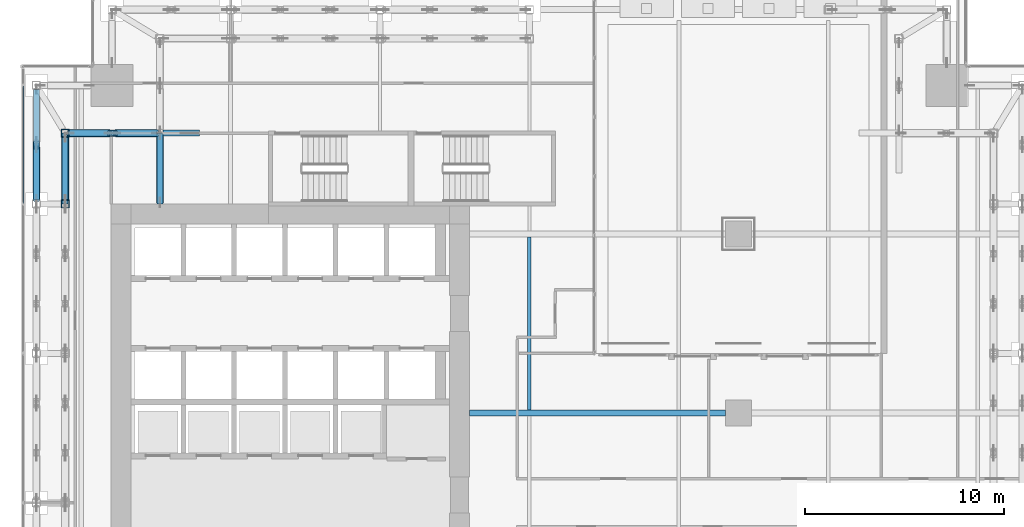
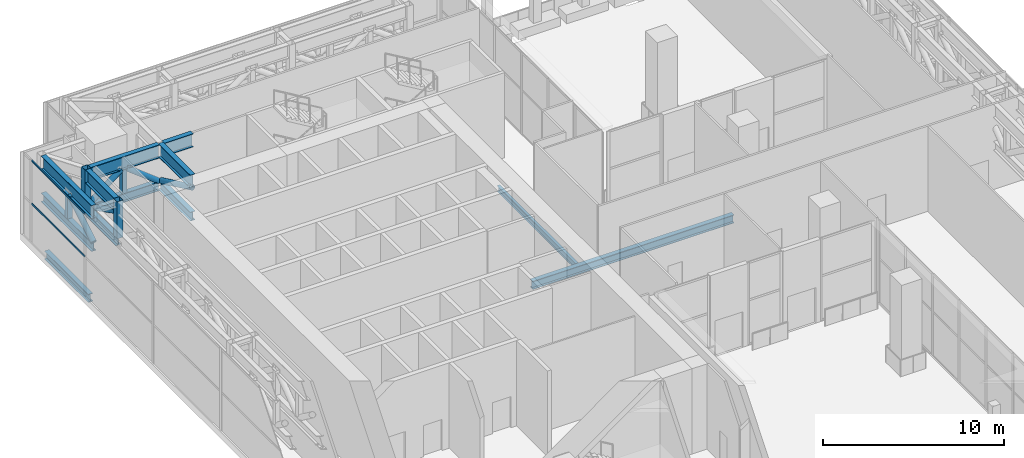
# One storey, part 19 of 47: 20 members, 3 beams, 1 element without a shape of its own.
"""IFC4 building model written with IfcOpenShell, lengths in metres."""

from ifc_helpers import new_model, si_unit, direction, frame, origin, origin_2d, place, context, subcontext, project, spatial, hollow_rectangle, hollow_circle, i_section, extrude, source, transform, mapped, material, material_profile, profile_set, type_object, element, aggregate, save


model = new_model("IFC4")

# Units and contexts
model_context = context("Model", 3, precision=1e-05, world=origin(), true_north=direction((0.0, 1.0)))
body_context = subcontext(model_context, "Body", "Model", "MODEL_VIEW")
ifc_project = project(units=[si_unit("LENGTHUNIT", "METRE"), si_unit("AREAUNIT", "SQUARE_METRE"), si_unit("VOLUMEUNIT", "CUBIC_METRE"), si_unit("PLANEANGLEUNIT", "RADIAN"), si_unit("MASSUNIT", "GRAM", prefix="KILO")], contexts=[model_context])

# Site, building, storey
site_placement = place(None, origin())
site = spatial("IfcSite", under=ifc_project, at=site_placement, CompositionType="ELEMENT")
building_placement = place(site_placement, origin())
building = spatial("IfcBuilding", under=site, at=building_placement, Name="Khomas Fold Tower", CompositionType="ELEMENT")
storey_placement = place(building_placement, frame((0.0, 0.0, 158.699951171875)))
storey = spatial("IfcBuildingStorey", under=building, at=storey_placement, Name="L34", CompositionType="ELEMENT", Elevation=158.699951171875)

# Beams
ifc_material_1 = material(Name="Steel S355", Category="steel")
ifc_material_profile_1 = material_profile(ifc_material_1, i_section(OverallWidth=0.179931640625, OverallDepth=0.39990234375, WebThickness=0.008544921875, FlangeThickness=0.013427734375, at=origin_2d()), Name="IPE 400")
ifc_profile_set_1 = profile_set([ifc_material_profile_1], Name="Steel S355")
beam_type_1 = type_object("IfcBeamType", Name="IPE 400 beam JB3", PredefinedType="BEAM", material=ifc_profile_set_1)
shared_shape_1 = source(origin(), body_context, "Body", "SweptSolid", [
    extrude(i_section(OverallWidth=0.179931640625, OverallDepth=0.39990234375, WebThickness=0.008544921875, FlangeThickness=0.013427734375, at=origin_2d()), origin(), (0.0, 0.0, 1.0), 8.7001953125),
])
beam_1_placement = place(storey_placement, frame((27.0, 31.64990234375, -0.64990234375), z_axis=(0.0, 1.0, 0.0), x_axis=(-1.0, 0.0, 0.0)))
element("IfcBeam", 1, at=beam_1_placement, inside=storey, type_object=beam_type_1, Name="JB3", PredefinedType="BEAM", context=body_context, shape_type="MappedRepresentation", body=[
    mapped(shared_shape_1, transform((0.0, 0.0, 0.0))),
])
ifc_material_2 = material(Name="Steel S355", Category="steel")
ifc_material_profile_2 = material_profile(ifc_material_2, i_section(OverallWidth=0.300048828125, OverallDepth=0.550048828125, WebThickness=0.014892578125, FlangeThickness=0.029052734375, at=origin_2d()), Name="HE 550 B")
ifc_profile_set_2 = profile_set([ifc_material_profile_2], Name="Steel S355")
beam_type_2 = type_object("IfcBeamType", Name="HE 550 B spandrel SB2", PredefinedType="SPANDREL", material=ifc_profile_set_2)
shared_shape_2 = source(origin(), body_context, "Body", "SweptSolid", [
    extrude(i_section(OverallWidth=0.300048828125, OverallDepth=0.550048828125, WebThickness=0.014892578125, FlangeThickness=0.029052734375, at=origin_2d()), origin(), (0.0, 0.0, 1.0), 4.849853515625),
])
beam_2_placement = place(storey_placement, frame((2.25, 42.550048828125, -0.724853515625), z_axis=(0.0, 1.0, 0.0), x_axis=(-1.0, 0.0, 0.0)))
element("IfcBeam", 2, at=beam_2_placement, inside=storey, type_object=beam_type_2, Name="SB2", PredefinedType="SPANDREL", context=body_context, shape_type="MappedRepresentation", body=[
    mapped(shared_shape_2, transform((0.0, 0.0, 0.0))),
])
ifc_material_3 = material(Name="Steel S355", Category="steel")
ifc_material_profile_3 = material_profile(ifc_material_3, i_section(OverallWidth=0.300048828125, OverallDepth=0.550048828125, WebThickness=0.014892578125, FlangeThickness=0.029052734375, at=origin_2d()), Name="HE 550 B")
ifc_profile_set_3 = profile_set([ifc_material_profile_3], Name="Steel S355")
beam_type_3 = type_object("IfcBeamType", Name="HE 550 B beam GB4", PredefinedType="BEAM", material=ifc_profile_set_3)
shared_shape_3 = source(origin(), body_context, "Body", "SweptSolid", [
    extrude(i_section(OverallWidth=0.300048828125, OverallDepth=0.550048828125, WebThickness=0.014892578125, FlangeThickness=0.029052734375, at=origin_2d()), origin(), (0.0, 0.0, 1.0), 12.85009765625),
])
beam_3_placement = place(storey_placement, frame((24.0, 31.5, -0.724853515625), z_axis=(1.0, 0.0, 0.0), x_axis=(0.0, 1.0, 0.0)))
element("IfcBeam", 3, at=beam_3_placement, inside=storey, type_object=beam_type_3, Name="GB4", PredefinedType="BEAM", context=body_context, shape_type="MappedRepresentation", body=[
    mapped(shared_shape_3, transform((0.0, 0.0, 0.0))),
])

# Members
ifc_material_4 = material(Name="Steel S460M", Category="steel")
ifc_material_profile_4 = material_profile(ifc_material_4, i_section(OverallWidth=0.300048828125, OverallDepth=0.89990234375, WebThickness=0.0185546875, FlangeThickness=0.034912109375, at=origin_2d()), Name="HE 900 B")
ifc_profile_set_4 = profile_set([ifc_material_profile_4], Name="Steel S460M")
member_type_1 = type_object("IfcMemberType", Name="BELT TRUSS 2 TOP CHORD HE 900 B", PredefinedType="CHORD", material=ifc_profile_set_4)
shared_shape_4 = source(origin(), body_context, "Body", "SweptSolid", [
    extrude(i_section(OverallWidth=0.300048828125, OverallDepth=0.89990234375, WebThickness=0.0185546875, FlangeThickness=0.034912109375, at=origin_2d()), origin(), (0.0, 0.0, 1.0), 5.550048828125),
])
member_1_placement = place(storey_placement, frame((2.25, 47.75, 5.300048828125), z_axis=(0.0, -1.0, 0.0), x_axis=(1.0, 0.0, 0.0)))
element("IfcMember", 4, at=member_1_placement, inside=storey, type_object=member_type_1, Name="BT2-CT", PredefinedType="CHORD", context=body_context, shape_type="MappedRepresentation", body=[
    mapped(shared_shape_4, transform((0.0, 0.0, 0.0))),
])
ifc_material_5 = material(Name="Steel S355", Category="steel")
ifc_material_profile_5 = material_profile(ifc_material_5, i_section(OverallWidth=0.300048828125, OverallDepth=0.60009765625, WebThickness=0.015380859375, FlangeThickness=0.030029296875, at=origin_2d()), Name="HE 600 B")
ifc_profile_set_5 = profile_set([ifc_material_profile_5], Name="Steel S355")
member_type_2 = type_object("IfcMemberType", Name="BELT TRUSS 2 BOTTOM CHORD SHORT HE 600 B", PredefinedType="CHORD", material=ifc_profile_set_5)
shared_shape_5 = source(origin(), body_context, "Body", "SweptSolid", [
    extrude(i_section(OverallWidth=0.300048828125, OverallDepth=0.60009765625, WebThickness=0.015380859375, FlangeThickness=0.030029296875, at=origin_2d()), origin(), (0.0, 0.0, 1.0), 5.550048828125),
])
member_2_placement = place(storey_placement, frame((2.25, 47.75, 2.949951171875), z_axis=(0.0, -1.0, 0.0), x_axis=(1.0, 0.0, 0.0)))
element("IfcMember", 5, at=member_2_placement, inside=storey, type_object=member_type_2, Name="BT2-CBS", PredefinedType="CHORD", context=body_context, shape_type="MappedRepresentation", body=[
    mapped(shared_shape_5, transform((0.0, 0.0, 0.0))),
])
ifc_material_6 = material(Name="Steel S355", Category="steel")
ifc_material_profile_6 = material_profile(ifc_material_6, hollow_circle(Radius=0.177734375, WallThickness=0.01611328125, at=origin_2d()), Name="CHS 355.6x16")
ifc_profile_set_6 = profile_set([ifc_material_profile_6], Name="Steel S355")
member_type_3 = type_object("IfcMemberType", Name="BELT TRUSS 2 DIAGONAL CHS 355.6x16", PredefinedType="BRACE", material=ifc_profile_set_6)
shared_shape_6 = source(origin(), body_context, "Body", "SweptSolid", [
    extrude(hollow_circle(Radius=0.177734375, WallThickness=0.01611328125, at=origin_2d()), origin(), (0.0, 0.0, 1.0), 3.079345703125),
])
member_3_placement = place(storey_placement, frame((2.25, 44.824951171875, 4.85498046875), z_axis=(0.0, -0.852457646083, -0.522796290762), x_axis=(1.0, 0.0, 0.0)))
element("IfcMember", 6, at=member_3_placement, inside=storey, type_object=member_type_3, Name="BT2-D", PredefinedType="BRACE", context=body_context, shape_type="MappedRepresentation", body=[
    mapped(shared_shape_6, transform((0.0, 0.0, 0.0))),
])
ifc_material_7 = material(Name="Steel S355", Category="steel")
ifc_material_profile_7 = material_profile(ifc_material_7, hollow_rectangle(XDim=0.300048828125, YDim=0.300048828125, WallThickness=0.012451171875, at=origin_2d()), Name="SHS 300x300x12.5")
ifc_profile_set_7 = profile_set([ifc_material_profile_7], Name="Steel S355")
member_type_4 = type_object("IfcMemberType", Name="BELT TRUSS 2 MID POST SHS 300x300x12.5", PredefinedType="POST", material=ifc_profile_set_7)
shared_shape_7 = source(origin(), body_context, "Body", "SweptSolid", [
    extrude(hollow_rectangle(XDim=0.300048828125, YDim=0.300048828125, WallThickness=0.012451171875, at=origin_2d()), origin(), (0.0, 0.0, 1.0), 1.60009765625),
])
for number, where, z_axis, x_axis, name in (
    (7, (2.25, 44.97509765625, 3.25), (0.0, 0.0, 1.0), (1.0, 0.0, 0.0), "BT2-M"),
    (8, (6.074951171875, 45.550048828125, 3.25), (0.0, 0.0, 1.0), (1.0, 0.0, 0.0), "BT2-M"),
):
    element("IfcMember", number, at=place(storey_placement, frame(where, z_axis=z_axis, x_axis=x_axis)), inside=storey, type_object=member_type_4, Name=name, PredefinedType="POST", context=body_context, shape_type="MappedRepresentation", body=[
        mapped(shared_shape_7, transform((0.0, 0.0, 0.0))),
    ])
ifc_material_8 = material(Name="Steel S460M", Category="steel")
ifc_material_profile_8 = material_profile(ifc_material_8, i_section(OverallWidth=0.300048828125, OverallDepth=0.89990234375, WebThickness=0.0185546875, FlangeThickness=0.034912109375, at=origin_2d()), Name="HE 900 B")
ifc_profile_set_8 = profile_set([ifc_material_profile_8], Name="Steel S460M")
member_type_5 = type_object("IfcMemberType", Name="BELT TRUSS 2 TOP CHORD SHORT HE 900 B", PredefinedType="CHORD", material=ifc_profile_set_8)
shared_shape_8 = source(origin(), body_context, "Body", "SweptSolid", [
    extrude(i_section(OverallWidth=0.300048828125, OverallDepth=0.89990234375, WebThickness=0.0185546875, FlangeThickness=0.034912109375, at=origin_2d()), origin(), (0.0, 0.0, 1.0), 3.150146484375),
])
member_4_placement = place(storey_placement, frame((3.699951171875, 45.35009765625, 5.300048828125), z_axis=(0.0, -1.0, 0.0), x_axis=(1.0, 0.0, 0.0)))
element("IfcMember", 9, at=member_4_placement, inside=storey, type_object=member_type_5, Name="BT2-CTS", PredefinedType="CHORD", context=body_context, shape_type="MappedRepresentation", body=[
    mapped(shared_shape_8, transform((0.0, 0.0, 0.0))),
])
shared_shape_9 = source(origin(), body_context, "Body", "SweptSolid", [
    extrude(hollow_circle(Radius=0.177734375, WallThickness=0.01611328125, at=origin_2d()), origin(), (0.0, 0.0, 1.0), 3.53759765625),
])
member_5_placement = place(storey_placement, frame((3.699951171875, 45.35009765625, 3.2451171875), z_axis=(0.0, -0.890458918819, 0.455063637193), x_axis=(1.0, 0.0, 0.0)))
element("IfcMember", 10, at=member_5_placement, inside=storey, type_object=member_type_3, Name="BT2-D", PredefinedType="BRACE", context=body_context, shape_type="MappedRepresentation", body=[
    mapped(shared_shape_9, transform((0.0, 0.0, 0.0))),
])
ifc_material_9 = material(Name="Steel S355", Category="steel")
ifc_material_profile_9 = material_profile(ifc_material_9, i_section(OverallWidth=0.300048828125, OverallDepth=0.60009765625, WebThickness=0.015380859375, FlangeThickness=0.030029296875, at=origin_2d()), Name="HE 600 B")
ifc_profile_set_9 = profile_set([ifc_material_profile_9], Name="Steel S355")
member_type_6 = type_object("IfcMemberType", Name="BELT TRUSS 2 BOTTOM CHORD SHORTER HE 600 B", PredefinedType="CHORD", material=ifc_profile_set_9)
shared_shape_10 = source(origin(), body_context, "Body", "SweptSolid", [
    extrude(i_section(OverallWidth=0.300048828125, OverallDepth=0.60009765625, WebThickness=0.015380859375, FlangeThickness=0.030029296875, at=origin_2d()), origin(), (0.0, 0.0, 1.0), 3.550048828125),
])
for number, where, z_axis, x_axis, name in (
    (11, (3.699951171875, 45.550048828125, 2.949951171875), (0.0, -1.0, 0.0), (1.0, 0.0, 0.0), "BT2-CBSS"),
    (12, (8.449951171875, 45.550048828125, 2.949951171875), (0.0, -1.0, 0.0), (1.0, 0.0, 0.0), "BT2-CBSS"),
):
    element("IfcMember", number, at=place(storey_placement, frame(where, z_axis=z_axis, x_axis=x_axis)), inside=storey, type_object=member_type_6, Name=name, PredefinedType="CHORD", context=body_context, shape_type="MappedRepresentation", body=[
        mapped(shared_shape_10, transform((0.0, 0.0, 0.0))),
    ])
shared_shape_11 = source(origin(), body_context, "Body", "SweptSolid", [
    extrude(hollow_circle(Radius=0.177734375, WallThickness=0.01611328125, at=origin_2d()), origin(), (0.0, 0.0, 1.0), 2.587158203125),
])
member_6_placement = place(storey_placement, frame((3.89990234375, 45.550048828125, 3.2451171875), z_axis=(0.782798501994, 0.0, 0.622275264876), x_axis=(0.0, 1.0, 0.0)))
element("IfcMember", 13, at=member_6_placement, inside=storey, type_object=member_type_3, Name="BT2-D", PredefinedType="BRACE", context=body_context, shape_type="MappedRepresentation", body=[
    mapped(shared_shape_11, transform((0.0, 0.0, 0.0))),
])
shared_shape_12 = source(origin(), body_context, "Body", "SweptSolid", [
    extrude(i_section(OverallWidth=0.300048828125, OverallDepth=0.89990234375, WebThickness=0.0185546875, FlangeThickness=0.034912109375, at=origin_2d()), origin(), (0.0, 0.0, 1.0), 4.400146484375),
])
member_7_placement = place(storey_placement, frame((3.89990234375, 45.550048828125, 5.300048828125), z_axis=(1.0, 0.0, 0.0), x_axis=(0.0, 1.0, 0.0)))
element("IfcMember", 14, at=member_7_placement, inside=storey, type_object=member_type_5, Name="BT2-CTS", PredefinedType="CHORD", context=body_context, shape_type="MappedRepresentation", body=[
    mapped(shared_shape_12, transform((0.0, 0.0, 0.0))),
])
shared_shape_13 = source(origin(), body_context, "Body", "SweptSolid", [
    extrude(i_section(OverallWidth=0.300048828125, OverallDepth=0.60009765625, WebThickness=0.015380859375, FlangeThickness=0.030029296875, at=origin_2d()), origin(), (0.0, 0.0, 1.0), 4.449951171875),
])
member_8_placement = place(storey_placement, frame((3.85009765625, 45.550048828125, 2.949951171875), z_axis=(1.0, 0.0, 0.0), x_axis=(0.0, 1.0, 0.0)))
element("IfcMember", 15, at=member_8_placement, inside=storey, type_object=member_type_2, Name="BT2-CBS", PredefinedType="CHORD", context=body_context, shape_type="MappedRepresentation", body=[
    mapped(shared_shape_13, transform((0.0, 0.0, 0.0))),
])
shared_shape_14 = source(origin(), body_context, "Body", "SweptSolid", [
    extrude(hollow_circle(Radius=0.177734375, WallThickness=0.01611328125, at=origin_2d()), origin(), (0.0, 0.0, 1.0), 2.626220703125),
])
member_9_placement = place(storey_placement, frame((6.22509765625, 45.550048828125, 4.85498046875), z_axis=(0.790087483617, 0.0, -0.612994101303), x_axis=(0.0, 1.0, 0.0)))
element("IfcMember", 16, at=member_9_placement, inside=storey, type_object=member_type_3, Name="BT2-D", PredefinedType="BRACE", context=body_context, shape_type="MappedRepresentation", body=[
    mapped(shared_shape_14, transform((0.0, 0.0, 0.0))),
])
ifc_material_10 = material(Name="Steel S460M", Category="steel")
ifc_material_profile_10 = material_profile(ifc_material_10, i_section(OverallWidth=0.300048828125, OverallDepth=0.89990234375, WebThickness=0.0185546875, FlangeThickness=0.034912109375, at=origin_2d()), Name="HE 900 B")
ifc_profile_set_10 = profile_set([ifc_material_profile_10], Name="Steel S460M")
member_type_7 = type_object("IfcMemberType", Name="BELT TRUSS 2 TOP CHORD SHORTER HE 900 B", PredefinedType="CHORD", material=ifc_profile_set_10)
shared_shape_15 = source(origin(), body_context, "Body", "SweptSolid", [
    extrude(i_section(OverallWidth=0.300048828125, OverallDepth=0.89990234375, WebThickness=0.0185546875, FlangeThickness=0.034912109375, at=origin_2d()), origin(), (0.0, 0.0, 1.0), 1.849853515625),
])
member_10_placement = place(storey_placement, frame((8.60009765625, 45.550048828125, 5.300048828125), z_axis=(1.0, 0.0, 0.0), x_axis=(0.0, 1.0, 0.0)))
element("IfcMember", 17, at=member_10_placement, inside=storey, type_object=member_type_7, Name="BT2-CTSS", PredefinedType="CHORD", context=body_context, shape_type="MappedRepresentation", body=[
    mapped(shared_shape_15, transform((0.0, 0.0, 0.0))),
])
shared_shape_16 = source(origin(), body_context, "Body", "SweptSolid", [
    extrude(i_section(OverallWidth=0.300048828125, OverallDepth=0.89990234375, WebThickness=0.0185546875, FlangeThickness=0.034912109375, at=origin_2d()), origin(), (0.0, 0.0, 1.0), 3.550048828125),
])
member_11_placement = place(storey_placement, frame((8.449951171875, 45.550048828125, 5.300048828125), z_axis=(0.0, -1.0, 0.0), x_axis=(1.0, 0.0, 0.0)))
element("IfcMember", 18, at=member_11_placement, inside=storey, type_object=member_type_5, Name="BT2-CTS", PredefinedType="CHORD", context=body_context, shape_type="MappedRepresentation", body=[
    mapped(shared_shape_16, transform((0.0, 0.0, 0.0))),
])
shared_shape_17 = source(origin(), body_context, "Body", "SweptSolid", [
    extrude(hollow_circle(Radius=0.177734375, WallThickness=0.01611328125, at=origin_2d()), origin(), (0.0, 0.0, 1.0), 3.765625),
])
member_12_placement = place(storey_placement, frame((8.449951171875, 45.47705078125, 3.2451171875), z_axis=(0.0, -0.904003021905, 0.427526065154), x_axis=(1.0, 0.0, 0.0)))
element("IfcMember", 19, at=member_12_placement, inside=storey, type_object=member_type_3, Name="BT2-D", PredefinedType="BRACE", context=body_context, shape_type="MappedRepresentation", body=[
    mapped(shared_shape_17, transform((0.0, 0.0, 0.0))),
])
ifc_material_11 = material(Name="Steel S460M", Category="steel")
ifc_material_profile_11 = material_profile(ifc_material_11, hollow_rectangle(XDim=0.39990234375, YDim=0.39990234375, WallThickness=0.01611328125, at=origin_2d()), Name="SHS 400x400x16")
ifc_profile_set_11 = profile_set([ifc_material_profile_11], Name="Steel S460M")
member_type_8 = type_object("IfcMemberType", Name="BELT TRUSS 2 COLUMN POST SHORT SHS 400x400x16", PredefinedType="POST", material=ifc_profile_set_11)
shared_shape_18 = source(origin(), body_context, "Body", "SweptSolid", [
    extrude(hollow_rectangle(XDim=0.39990234375, YDim=0.39990234375, WallThickness=0.01611328125, at=origin_2d()), origin(), (0.0, 0.0, 1.0), 2.5),
])
for number, where, z_axis, x_axis, name in (
    (20, (3.699951171875, 45.550048828125, 3.25), (0.0, 0.0, 1.0), (1.0, 0.0, 0.0), "BT2-PS"),
    (21, (3.699951171875, 42.0, 3.25), (0.0, 0.0, 1.0), (1.0, 0.0, 0.0), "BT2-PS"),
):
    element("IfcMember", number, at=place(storey_placement, frame(where, z_axis=z_axis, x_axis=x_axis)), inside=storey, type_object=member_type_8, Name=name, PredefinedType="POST", context=body_context, shape_type="MappedRepresentation", body=[
        mapped(shared_shape_18, transform((0.0, 0.0, 0.0))),
    ])

# Curtain wall, members
ifc_material_12 = material(Name="Aluminium framed double glazing", Category="aluminium")
curtain_wall_type = type_object("IfcCurtainWallType", Name="SK-Unitised clear-glass wall, growing floors CW1", PredefinedType="NOTDEFINED", material=ifc_material_12)
curtain_wall_placement = place(storey_placement, origin())
curtain_wall = element("IfcCurtainWall", 22, at=curtain_wall_placement, inside=storey, type_object=curtain_wall_type, Name="CW1 run L34 18-0", PredefinedType="NOTDEFINED")
ifc_material_13 = material(Name="Aluminium", Category="aluminium")
ifc_material_profile_12 = material_profile(ifc_material_13, hollow_rectangle(XDim=0.06005859375, YDim=0.1201171875, WallThickness=0.00390625, at=origin_2d()), Name="SK-Unitised clear-glass wall, growing floors transom CW1-T")
ifc_profile_set_12 = profile_set([ifc_material_profile_12], Name="Aluminium")
member_type_9 = type_object("IfcMemberType", Name="SK-Unitised clear-glass wall, growing floors transom CW1-T", PredefinedType="USERDEFINED", material=ifc_profile_set_12)
shared_shape_19 = source(origin(), body_context, "Body", "SweptSolid", [
    extrude(hollow_rectangle(XDim=0.06005859375, YDim=0.1201171875, WallThickness=0.00390625, at=origin_2d()), origin(), (0.0, 0.0, 1.0), 5.889892578125),
])
member_13_placement = place(storey_placement, frame((1.60009765625, 47.919921875, 5.489990234375), z_axis=(0.0, -1.0, 0.0), x_axis=(1.0, 0.0, 0.0)))
member_13 = element("IfcMember", 23, at=member_13_placement, type_object=member_type_9, Name="CW1 transom 2", ObjectType="TRANSOM", PredefinedType="USERDEFINED", context=body_context, shape_type="MappedRepresentation", body=[
    mapped(shared_shape_19, transform((0.0, 0.0, 0.0))),
])
member_14_placement = place(storey_placement, frame((1.60009765625, 47.919921875, 2.6171875), z_axis=(0.0, -1.0, 0.0), x_axis=(1.0, 0.0, 0.0)))
member_14 = element("IfcMember", 24, at=member_14_placement, type_object=member_type_9, Name="CW1 transom 2 (truss floor)", ObjectType="TRANSOM", PredefinedType="USERDEFINED", context=body_context, shape_type="MappedRepresentation", body=[
    mapped(shared_shape_19, transform((0.0, 0.0, 0.0))),
])
aggregate(curtain_wall, [member_13, member_14])

save(model, "model.ifc")
